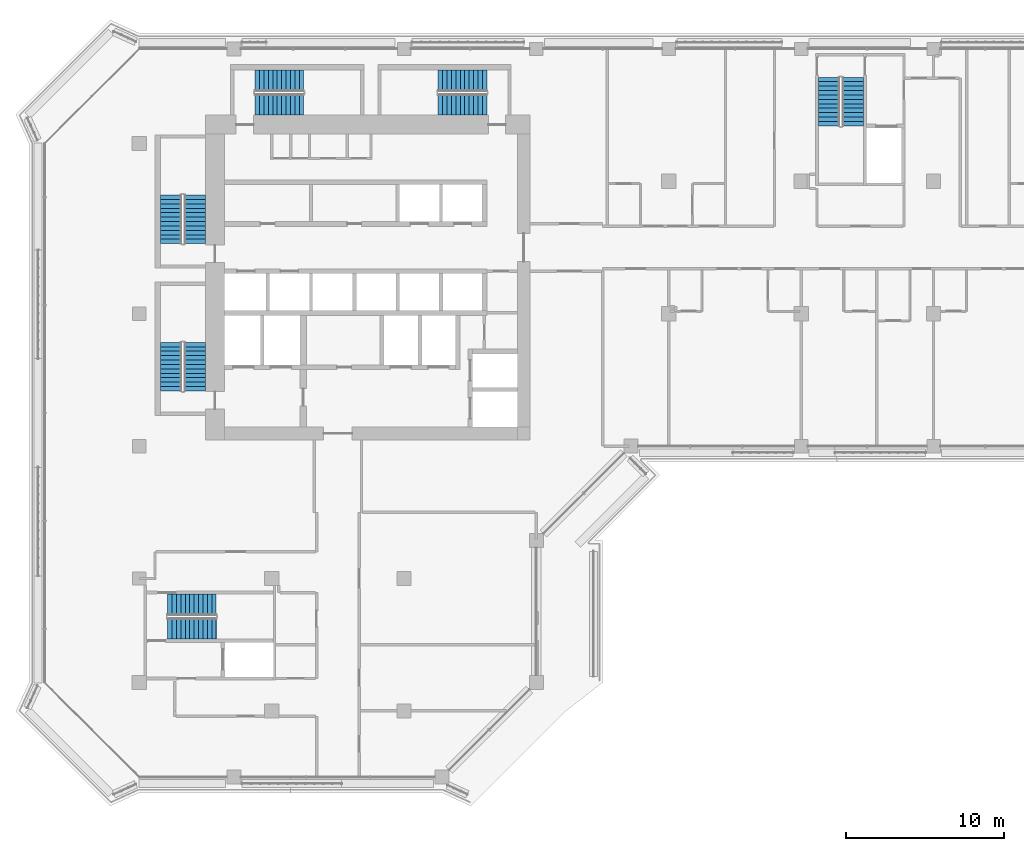
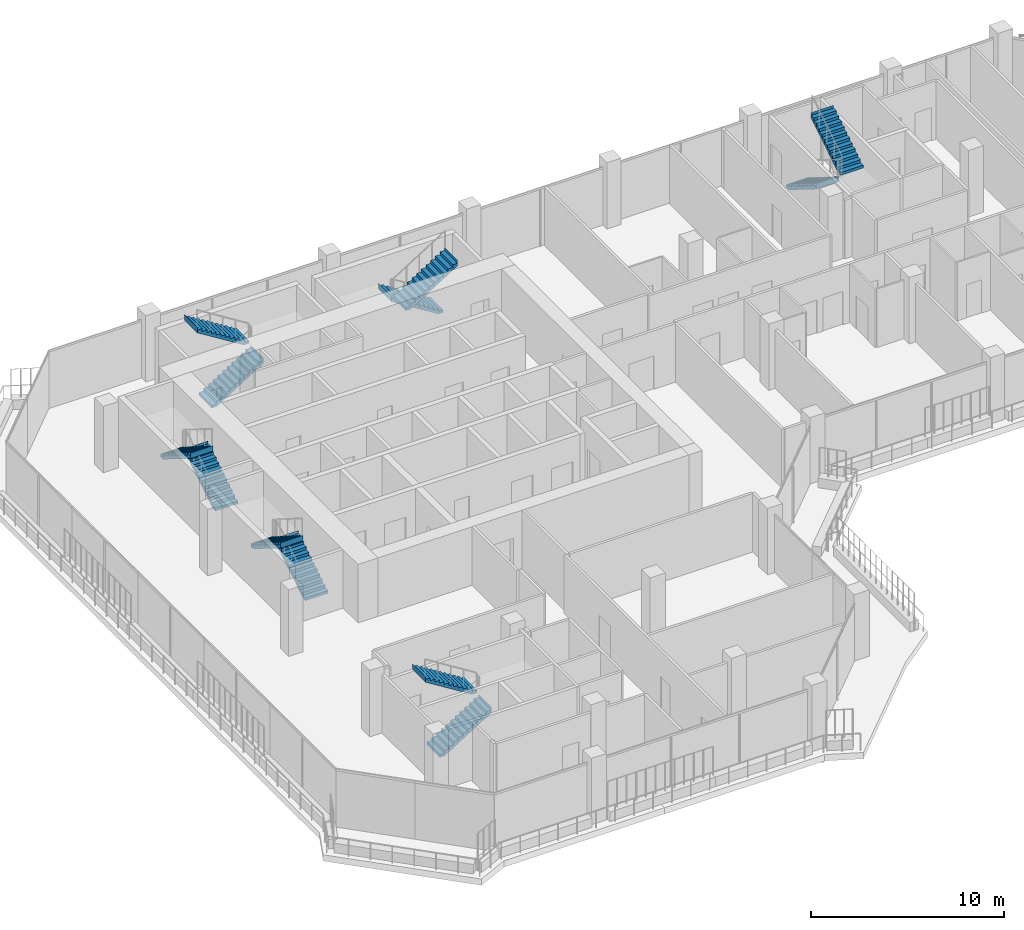
# One storey, part 15 of 23: 12 stair flights, 6 elements without a shape of their own.
"""IFC4 building model written with IfcOpenShell, lengths in metres."""

from ifc_helpers import new_model, si_unit, direction, frame, origin, place, context, subcontext, project, spatial, polyline, outline, extrude, material, type_object, element, aggregate, save


model = new_model("IFC4")

# Units and contexts
model_context = context("Model", 3, precision=1e-05, world=origin(), true_north=direction((0.0, 1.0)))
body_context = subcontext(model_context, "Body", "Model", "MODEL_VIEW")
ifc_project = project(units=[si_unit("LENGTHUNIT", "METRE"), si_unit("AREAUNIT", "SQUARE_METRE"), si_unit("VOLUMEUNIT", "CUBIC_METRE"), si_unit("PLANEANGLEUNIT", "RADIAN"), si_unit("MASSUNIT", "GRAM", prefix="KILO")], contexts=[model_context])

# Site, building, storey
site_placement = place(None, origin())
site = spatial("IfcSite", under=ifc_project, at=site_placement, CompositionType="ELEMENT")
building_placement = place(site_placement, origin())
building = spatial("IfcBuilding", under=site, at=building_placement, Name="Kawkab Arch Medical Tower", CompositionType="ELEMENT")
storey_placement = place(building_placement, frame((0.0, 0.0, 268.39990234375)))
storey = spatial("IfcBuildingStorey", under=building, at=storey_placement, Name="L62", CompositionType="ELEMENT", Elevation=268.39990234375)

# Stair, stair flights
ifc_material_1 = material(Name="Concrete C40/50", Category="concrete")
stair_type = type_object("IfcStairType", Name="Exit stair 1350", PredefinedType="HALF_TURN_STAIR", material=ifc_material_1)
placement = place(storey_placement, origin())
stair_1 = element("IfcStair", 1, at=placement, inside=storey, type_object=stair_type, Name="L62 Exit stair ST1", PredefinedType="HALF_TURN_STAIR")
ifc_material_2 = material(Name="Concrete C40/50", Category="concrete")
stair_flight_type = type_object("IfcStairFlightType", Name="Exit stair flight 1350", PredefinedType="STRAIGHT", material=ifc_material_2)
stair_flight_1_placement = place(storey_placement, frame((3.52490234375, -12.35009765625, 0.0), z_axis=(0.0, 0.0, 1.0), x_axis=(0.0, 1.0, 0.0)))
stair_flight_1 = element("IfcStairFlight", 2, at=stair_flight_1_placement, type_object=stair_flight_type, Name="ST1 flight 1", NumberOfRisers=12, NumberOfTreads=11, PredefinedType="STRAIGHT", RiserHeight=0.175, TreadLength=0.28, context=body_context, shape_type="SweptSolid", body=[
    extrude(outline(polyline([(-0.0029296875, 0.0), (-0.0029296875, 0.175048828125), (0.0, 0.175048828125), (0.280029296875, 0.175048828125), (0.280029296875, 0.35009765625), (0.56005859375, 0.35009765625), (0.56005859375, 0.52490234375), (0.840087890625, 0.52490234375), (0.840087890625, 0.699951171875), (1.1201171875, 0.699951171875), (1.1201171875, 0.875), (1.39990234375, 0.875), (1.39990234375, 1.050048828125), (1.679931640625, 1.050048828125), (1.679931640625, 1.22509765625), (1.9599609375, 1.22509765625), (1.9599609375, 1.39990234375), (2.239990234375, 1.39990234375), (2.239990234375, 1.574951171875), (2.52001953125, 1.574951171875), (2.52001953125, 1.75), (2.800048828125, 1.75), (2.800048828125, 1.925048828125), (3.080078125, 1.925048828125), (3.080078125, 2.10009765625), (3.0830078125, 2.10009765625), (3.0830078125, 1.748291015625), (3.080078125, 1.748291015625), (0.28271484375, 0.0), (-0.0029296875, 0.0)])), frame((0.0, 0.675048828125, 0.0), z_axis=(0.0, -1.0, 0.0), x_axis=(1.0, 0.0, 0.0)), (0.0, 0.0, 1.0), 1.35009765625),
])
stair_flight_2_placement = place(storey_placement, frame((2.02490234375, -9.27001953125, 2.10009765625), z_axis=(0.0, 0.0, 1.0), x_axis=(0.0, -1.0, 0.0)))
stair_flight_2 = element("IfcStairFlight", 3, at=stair_flight_2_placement, type_object=stair_flight_type, Name="ST1 flight 2", NumberOfRisers=12, NumberOfTreads=11, PredefinedType="STRAIGHT", RiserHeight=0.175, TreadLength=0.28, context=body_context, shape_type="SweptSolid", body=[
    extrude(outline(polyline([(-0.0029296875, 0.0), (-0.0029296875, 0.175048828125), (0.0, 0.175048828125), (0.280029296875, 0.175048828125), (0.280029296875, 0.35009765625), (0.56005859375, 0.35009765625), (0.56005859375, 0.52490234375), (0.840087890625, 0.52490234375), (0.840087890625, 0.699951171875), (1.1201171875, 0.699951171875), (1.1201171875, 0.875), (1.39990234375, 0.875), (1.39990234375, 1.050048828125), (1.679931640625, 1.050048828125), (1.679931640625, 1.22509765625), (1.9599609375, 1.22509765625), (1.9599609375, 1.39990234375), (2.239990234375, 1.39990234375), (2.239990234375, 1.574951171875), (2.52001953125, 1.574951171875), (2.52001953125, 1.75), (2.800048828125, 1.75), (2.800048828125, 1.925048828125), (3.080078125, 1.925048828125), (3.080078125, 2.10009765625), (3.0830078125, 2.10009765625), (3.0830078125, 1.748291015625), (3.080078125, 1.748291015625), (0.28271484375, 0.0), (-0.0029296875, 0.0)])), frame((0.0, 0.675048828125, 0.0), z_axis=(0.0, -1.0, 0.0), x_axis=(1.0, 0.0, 0.0)), (0.0, 0.0, 1.0), 1.35009765625),
])
aggregate(stair_1, [stair_flight_1, stair_flight_2])

stair_2 = element("IfcStair", 4, at=placement, inside=storey, type_object=stair_type, Name="L62 Exit stair ST2", PredefinedType="HALF_TURN_STAIR")
stair_flight_3_placement = place(storey_placement, frame((3.52490234375, -21.699951171875, 0.0), z_axis=(0.0, 0.0, 1.0), x_axis=(0.0, 1.0, 0.0)))
stair_flight_3 = element("IfcStairFlight", 5, at=stair_flight_3_placement, type_object=stair_flight_type, Name="ST2 flight 1", NumberOfRisers=12, NumberOfTreads=11, PredefinedType="STRAIGHT", RiserHeight=0.175, TreadLength=0.28, context=body_context, shape_type="SweptSolid", body=[
    extrude(outline(polyline([(-0.0029296875, 0.0), (-0.0029296875, 0.175048828125), (0.0, 0.175048828125), (0.280029296875, 0.175048828125), (0.280029296875, 0.35009765625), (0.56005859375, 0.35009765625), (0.56005859375, 0.52490234375), (0.840087890625, 0.52490234375), (0.840087890625, 0.699951171875), (1.1201171875, 0.699951171875), (1.1201171875, 0.875), (1.39990234375, 0.875), (1.39990234375, 1.050048828125), (1.679931640625, 1.050048828125), (1.679931640625, 1.22509765625), (1.9599609375, 1.22509765625), (1.9599609375, 1.39990234375), (2.239990234375, 1.39990234375), (2.239990234375, 1.574951171875), (2.52001953125, 1.574951171875), (2.52001953125, 1.75), (2.800048828125, 1.75), (2.800048828125, 1.925048828125), (3.080078125, 1.925048828125), (3.080078125, 2.10009765625), (3.0830078125, 2.10009765625), (3.0830078125, 1.748291015625), (3.080078125, 1.748291015625), (0.28271484375, 0.0), (-0.0029296875, 0.0)])), frame((0.0, 0.675048828125, 0.0), z_axis=(0.0, -1.0, 0.0), x_axis=(1.0, 0.0, 0.0)), (0.0, 0.0, 1.0), 1.35009765625),
])
stair_flight_4_placement = place(storey_placement, frame((2.02490234375, -18.6201171875, 2.10009765625), z_axis=(0.0, 0.0, 1.0), x_axis=(0.0, -1.0, 0.0)))
stair_flight_4 = element("IfcStairFlight", 6, at=stair_flight_4_placement, type_object=stair_flight_type, Name="ST2 flight 2", NumberOfRisers=12, NumberOfTreads=11, PredefinedType="STRAIGHT", RiserHeight=0.175, TreadLength=0.28, context=body_context, shape_type="SweptSolid", body=[
    extrude(outline(polyline([(-0.0029296875, 0.0), (-0.0029296875, 0.175048828125), (0.0, 0.175048828125), (0.280029296875, 0.175048828125), (0.280029296875, 0.35009765625), (0.56005859375, 0.35009765625), (0.56005859375, 0.52490234375), (0.840087890625, 0.52490234375), (0.840087890625, 0.699951171875), (1.1201171875, 0.699951171875), (1.1201171875, 0.875), (1.39990234375, 0.875), (1.39990234375, 1.050048828125), (1.679931640625, 1.050048828125), (1.679931640625, 1.22509765625), (1.9599609375, 1.22509765625), (1.9599609375, 1.39990234375), (2.239990234375, 1.39990234375), (2.239990234375, 1.574951171875), (2.52001953125, 1.574951171875), (2.52001953125, 1.75), (2.800048828125, 1.75), (2.800048828125, 1.925048828125), (3.080078125, 1.925048828125), (3.080078125, 2.10009765625), (3.0830078125, 2.10009765625), (3.0830078125, 1.748291015625), (3.080078125, 1.748291015625), (0.28271484375, 0.0), (-0.0029296875, 0.0)])), frame((0.0, 0.675048828125, 0.0), z_axis=(0.0, -1.0, 0.0), x_axis=(1.0, 0.0, 0.0)), (0.0, 0.0, 1.0), 1.35009765625),
])
aggregate(stair_2, [stair_flight_3, stair_flight_4])

stair_3 = element("IfcStair", 7, at=placement, inside=storey, type_object=stair_type, Name="L62 Exit stair ST3", PredefinedType="HALF_TURN_STAIR")
stair_flight_5_placement = place(storey_placement, frame((7.35009765625, -3.52490234375, 0.0), z_axis=(0.0, 0.0, 1.0), x_axis=(1.0, 0.0, 0.0)))
stair_flight_5 = element("IfcStairFlight", 8, at=stair_flight_5_placement, type_object=stair_flight_type, Name="ST3 flight 1", NumberOfRisers=12, NumberOfTreads=11, PredefinedType="STRAIGHT", RiserHeight=0.175, TreadLength=0.28, context=body_context, shape_type="SweptSolid", body=[
    extrude(outline(polyline([(-0.0029296875, 0.0), (-0.0029296875, 0.175048828125), (0.0, 0.175048828125), (0.280029296875, 0.175048828125), (0.280029296875, 0.35009765625), (0.56005859375, 0.35009765625), (0.56005859375, 0.52490234375), (0.840087890625, 0.52490234375), (0.840087890625, 0.699951171875), (1.1201171875, 0.699951171875), (1.1201171875, 0.875), (1.39990234375, 0.875), (1.39990234375, 1.050048828125), (1.679931640625, 1.050048828125), (1.679931640625, 1.22509765625), (1.9599609375, 1.22509765625), (1.9599609375, 1.39990234375), (2.239990234375, 1.39990234375), (2.239990234375, 1.574951171875), (2.52001953125, 1.574951171875), (2.52001953125, 1.75), (2.800048828125, 1.75), (2.800048828125, 1.925048828125), (3.080078125, 1.925048828125), (3.080078125, 2.10009765625), (3.0830078125, 2.10009765625), (3.0830078125, 1.748291015625), (3.080078125, 1.748291015625), (0.28271484375, 0.0), (-0.0029296875, 0.0)])), frame((0.0, 0.675048828125, 0.0), z_axis=(0.0, -1.0, 0.0), x_axis=(1.0, 0.0, 0.0)), (0.0, 0.0, 1.0), 1.35009765625),
])
stair_flight_6_placement = place(storey_placement, frame((10.429931640625, -2.02490234375, 2.10009765625), z_axis=(0.0, 0.0, 1.0), x_axis=(-1.0, 0.0, 0.0)))
stair_flight_6 = element("IfcStairFlight", 9, at=stair_flight_6_placement, type_object=stair_flight_type, Name="ST3 flight 2", NumberOfRisers=12, NumberOfTreads=11, PredefinedType="STRAIGHT", RiserHeight=0.175, TreadLength=0.28, context=body_context, shape_type="SweptSolid", body=[
    extrude(outline(polyline([(-0.0029296875, 0.0), (-0.0029296875, 0.175048828125), (0.0, 0.175048828125), (0.280029296875, 0.175048828125), (0.280029296875, 0.35009765625), (0.56005859375, 0.35009765625), (0.56005859375, 0.52490234375), (0.840087890625, 0.52490234375), (0.840087890625, 0.699951171875), (1.1201171875, 0.699951171875), (1.1201171875, 0.875), (1.39990234375, 0.875), (1.39990234375, 1.050048828125), (1.679931640625, 1.050048828125), (1.679931640625, 1.22509765625), (1.9599609375, 1.22509765625), (1.9599609375, 1.39990234375), (2.239990234375, 1.39990234375), (2.239990234375, 1.574951171875), (2.52001953125, 1.574951171875), (2.52001953125, 1.75), (2.800048828125, 1.75), (2.800048828125, 1.925048828125), (3.080078125, 1.925048828125), (3.080078125, 2.10009765625), (3.0830078125, 2.10009765625), (3.0830078125, 1.748291015625), (3.080078125, 1.748291015625), (0.28271484375, 0.0), (-0.0029296875, 0.0)])), frame((0.0, 0.675048828125, 0.0), z_axis=(0.0, -1.0, 0.0), x_axis=(1.0, 0.0, 0.0)), (0.0, 0.0, 1.0), 1.35009765625),
])
aggregate(stair_3, [stair_flight_5, stair_flight_6])

stair_4 = element("IfcStair", 10, at=placement, inside=storey, type_object=stair_type, Name="L62 Exit stair ST4", PredefinedType="HALF_TURN_STAIR")
stair_flight_7_placement = place(storey_placement, frame((22.050048828125, -2.02490234375, 0.0), z_axis=(0.0, 0.0, 1.0), x_axis=(-1.0, 0.0, 0.0)))
stair_flight_7 = element("IfcStairFlight", 11, at=stair_flight_7_placement, type_object=stair_flight_type, Name="ST4 flight 1", NumberOfRisers=12, NumberOfTreads=11, PredefinedType="STRAIGHT", RiserHeight=0.175, TreadLength=0.28, context=body_context, shape_type="SweptSolid", body=[
    extrude(outline(polyline([(-0.0029296875, 0.0), (-0.0029296875, 0.175048828125), (0.0, 0.175048828125), (0.280029296875, 0.175048828125), (0.280029296875, 0.35009765625), (0.56005859375, 0.35009765625), (0.56005859375, 0.52490234375), (0.840087890625, 0.52490234375), (0.840087890625, 0.699951171875), (1.1201171875, 0.699951171875), (1.1201171875, 0.875), (1.39990234375, 0.875), (1.39990234375, 1.050048828125), (1.679931640625, 1.050048828125), (1.679931640625, 1.22509765625), (1.9599609375, 1.22509765625), (1.9599609375, 1.39990234375), (2.239990234375, 1.39990234375), (2.239990234375, 1.574951171875), (2.52001953125, 1.574951171875), (2.52001953125, 1.75), (2.800048828125, 1.75), (2.800048828125, 1.925048828125), (3.080078125, 1.925048828125), (3.080078125, 2.10009765625), (3.0830078125, 2.10009765625), (3.0830078125, 1.748291015625), (3.080078125, 1.748291015625), (0.28271484375, 0.0), (-0.0029296875, 0.0)])), frame((0.0, 0.675048828125, 0.0), z_axis=(0.0, -1.0, 0.0), x_axis=(1.0, 0.0, 0.0)), (0.0, 0.0, 1.0), 1.35009765625),
])
stair_flight_8_placement = place(storey_placement, frame((18.969970703125, -3.52490234375, 2.10009765625), z_axis=(0.0, 0.0, 1.0), x_axis=(1.0, 0.0, 0.0)))
stair_flight_8 = element("IfcStairFlight", 12, at=stair_flight_8_placement, type_object=stair_flight_type, Name="ST4 flight 2", NumberOfRisers=12, NumberOfTreads=11, PredefinedType="STRAIGHT", RiserHeight=0.175, TreadLength=0.28, context=body_context, shape_type="SweptSolid", body=[
    extrude(outline(polyline([(-0.0029296875, 0.0), (-0.0029296875, 0.175048828125), (0.0, 0.175048828125), (0.280029296875, 0.175048828125), (0.280029296875, 0.35009765625), (0.56005859375, 0.35009765625), (0.56005859375, 0.52490234375), (0.840087890625, 0.52490234375), (0.840087890625, 0.699951171875), (1.1201171875, 0.699951171875), (1.1201171875, 0.875), (1.39990234375, 0.875), (1.39990234375, 1.050048828125), (1.679931640625, 1.050048828125), (1.679931640625, 1.22509765625), (1.9599609375, 1.22509765625), (1.9599609375, 1.39990234375), (2.239990234375, 1.39990234375), (2.239990234375, 1.574951171875), (2.52001953125, 1.574951171875), (2.52001953125, 1.75), (2.800048828125, 1.75), (2.800048828125, 1.925048828125), (3.080078125, 1.925048828125), (3.080078125, 2.10009765625), (3.0830078125, 2.10009765625), (3.0830078125, 1.748291015625), (3.080078125, 1.748291015625), (0.28271484375, 0.0), (-0.0029296875, 0.0)])), frame((0.0, 0.675048828125, 0.0), z_axis=(0.0, -1.0, 0.0), x_axis=(1.0, 0.0, 0.0)), (0.0, 0.0, 1.0), 1.35009765625),
])
aggregate(stair_4, [stair_flight_7, stair_flight_8])

stair_5 = element("IfcStair", 13, at=placement, inside=storey, type_object=stair_type, Name="L62 Exit stair ST5", PredefinedType="HALF_TURN_STAIR")
stair_flight_9_placement = place(storey_placement, frame((43.77490234375, -1.800048828125, 0.0), z_axis=(0.0, 0.0, 1.0), x_axis=(0.0, -1.0, 0.0)))
stair_flight_9 = element("IfcStairFlight", 14, at=stair_flight_9_placement, type_object=stair_flight_type, Name="ST5 flight 1", NumberOfRisers=12, NumberOfTreads=11, PredefinedType="STRAIGHT", RiserHeight=0.175, TreadLength=0.28, context=body_context, shape_type="SweptSolid", body=[
    extrude(outline(polyline([(-0.0029296875, 0.0), (-0.0029296875, 0.175048828125), (0.0, 0.175048828125), (0.280029296875, 0.175048828125), (0.280029296875, 0.35009765625), (0.56005859375, 0.35009765625), (0.56005859375, 0.52490234375), (0.840087890625, 0.52490234375), (0.840087890625, 0.699951171875), (1.1201171875, 0.699951171875), (1.1201171875, 0.875), (1.39990234375, 0.875), (1.39990234375, 1.050048828125), (1.679931640625, 1.050048828125), (1.679931640625, 1.22509765625), (1.9599609375, 1.22509765625), (1.9599609375, 1.39990234375), (2.239990234375, 1.39990234375), (2.239990234375, 1.574951171875), (2.52001953125, 1.574951171875), (2.52001953125, 1.75), (2.800048828125, 1.75), (2.800048828125, 1.925048828125), (3.080078125, 1.925048828125), (3.080078125, 2.10009765625), (3.0830078125, 2.10009765625), (3.0830078125, 1.748291015625), (3.080078125, 1.748291015625), (0.28271484375, 0.0), (-0.0029296875, 0.0)])), frame((0.0, 0.675048828125, 0.0), z_axis=(0.0, -1.0, 0.0), x_axis=(1.0, 0.0, 0.0)), (0.0, 0.0, 1.0), 1.35009765625),
])
stair_flight_10_placement = place(storey_placement, frame((45.27490234375, -4.8798828125, 2.10009765625), z_axis=(0.0, 0.0, 1.0), x_axis=(0.0, 1.0, 0.0)))
stair_flight_10 = element("IfcStairFlight", 15, at=stair_flight_10_placement, type_object=stair_flight_type, Name="ST5 flight 2", NumberOfRisers=12, NumberOfTreads=11, PredefinedType="STRAIGHT", RiserHeight=0.175, TreadLength=0.28, context=body_context, shape_type="SweptSolid", body=[
    extrude(outline(polyline([(-0.0029296875, 0.0), (-0.0029296875, 0.175048828125), (0.0, 0.175048828125), (0.280029296875, 0.175048828125), (0.280029296875, 0.35009765625), (0.56005859375, 0.35009765625), (0.56005859375, 0.52490234375), (0.840087890625, 0.52490234375), (0.840087890625, 0.699951171875), (1.1201171875, 0.699951171875), (1.1201171875, 0.875), (1.39990234375, 0.875), (1.39990234375, 1.050048828125), (1.679931640625, 1.050048828125), (1.679931640625, 1.22509765625), (1.9599609375, 1.22509765625), (1.9599609375, 1.39990234375), (2.239990234375, 1.39990234375), (2.239990234375, 1.574951171875), (2.52001953125, 1.574951171875), (2.52001953125, 1.75), (2.800048828125, 1.75), (2.800048828125, 1.925048828125), (3.080078125, 1.925048828125), (3.080078125, 2.10009765625), (3.0830078125, 2.10009765625), (3.0830078125, 1.748291015625), (3.080078125, 1.748291015625), (0.28271484375, 0.0), (-0.0029296875, 0.0)])), frame((0.0, 0.675048828125, 0.0), z_axis=(0.0, -1.0, 0.0), x_axis=(1.0, 0.0, 0.0)), (0.0, 0.0, 1.0), 1.35009765625),
])
aggregate(stair_5, [stair_flight_9, stair_flight_10])

stair_6 = element("IfcStair", 16, at=placement, inside=storey, type_object=stair_type, Name="L62 Exit stair ST6", PredefinedType="HALF_TURN_STAIR")
stair_flight_11_placement = place(storey_placement, frame((1.800048828125, -36.77490234375, 0.0), z_axis=(0.0, 0.0, 1.0), x_axis=(1.0, 0.0, 0.0)))
stair_flight_11 = element("IfcStairFlight", 17, at=stair_flight_11_placement, type_object=stair_flight_type, Name="ST6 flight 1", NumberOfRisers=12, NumberOfTreads=11, PredefinedType="STRAIGHT", RiserHeight=0.175, TreadLength=0.28, context=body_context, shape_type="SweptSolid", body=[
    extrude(outline(polyline([(-0.0029296875, 0.0), (-0.0029296875, 0.175048828125), (0.0, 0.175048828125), (0.280029296875, 0.175048828125), (0.280029296875, 0.35009765625), (0.56005859375, 0.35009765625), (0.56005859375, 0.52490234375), (0.840087890625, 0.52490234375), (0.840087890625, 0.699951171875), (1.1201171875, 0.699951171875), (1.1201171875, 0.875), (1.39990234375, 0.875), (1.39990234375, 1.050048828125), (1.679931640625, 1.050048828125), (1.679931640625, 1.22509765625), (1.9599609375, 1.22509765625), (1.9599609375, 1.39990234375), (2.239990234375, 1.39990234375), (2.239990234375, 1.574951171875), (2.52001953125, 1.574951171875), (2.52001953125, 1.75), (2.800048828125, 1.75), (2.800048828125, 1.925048828125), (3.080078125, 1.925048828125), (3.080078125, 2.10009765625), (3.0830078125, 2.10009765625), (3.0830078125, 1.748291015625), (3.080078125, 1.748291015625), (0.28271484375, 0.0), (-0.0029296875, 0.0)])), frame((0.0, 0.675048828125, 0.0), z_axis=(0.0, -1.0, 0.0), x_axis=(1.0, 0.0, 0.0)), (0.0, 0.0, 1.0), 1.35009765625),
])
stair_flight_12_placement = place(storey_placement, frame((4.8798828125, -35.27490234375, 2.10009765625), z_axis=(0.0, 0.0, 1.0), x_axis=(-1.0, 0.0, 0.0)))
stair_flight_12 = element("IfcStairFlight", 18, at=stair_flight_12_placement, type_object=stair_flight_type, Name="ST6 flight 2", NumberOfRisers=12, NumberOfTreads=11, PredefinedType="STRAIGHT", RiserHeight=0.175, TreadLength=0.28, context=body_context, shape_type="SweptSolid", body=[
    extrude(outline(polyline([(-0.0029296875, 0.0), (-0.0029296875, 0.175048828125), (0.0, 0.175048828125), (0.280029296875, 0.175048828125), (0.280029296875, 0.35009765625), (0.56005859375, 0.35009765625), (0.56005859375, 0.52490234375), (0.840087890625, 0.52490234375), (0.840087890625, 0.699951171875), (1.1201171875, 0.699951171875), (1.1201171875, 0.875), (1.39990234375, 0.875), (1.39990234375, 1.050048828125), (1.679931640625, 1.050048828125), (1.679931640625, 1.22509765625), (1.9599609375, 1.22509765625), (1.9599609375, 1.39990234375), (2.239990234375, 1.39990234375), (2.239990234375, 1.574951171875), (2.52001953125, 1.574951171875), (2.52001953125, 1.75), (2.800048828125, 1.75), (2.800048828125, 1.925048828125), (3.080078125, 1.925048828125), (3.080078125, 2.10009765625), (3.0830078125, 2.10009765625), (3.0830078125, 1.748291015625), (3.080078125, 1.748291015625), (0.28271484375, 0.0), (-0.0029296875, 0.0)])), frame((0.0, 0.675048828125, 0.0), z_axis=(0.0, -1.0, 0.0), x_axis=(1.0, 0.0, 0.0)), (0.0, 0.0, 1.0), 1.35009765625),
])
aggregate(stair_6, [stair_flight_11, stair_flight_12])

save(model, "model.ifc")
